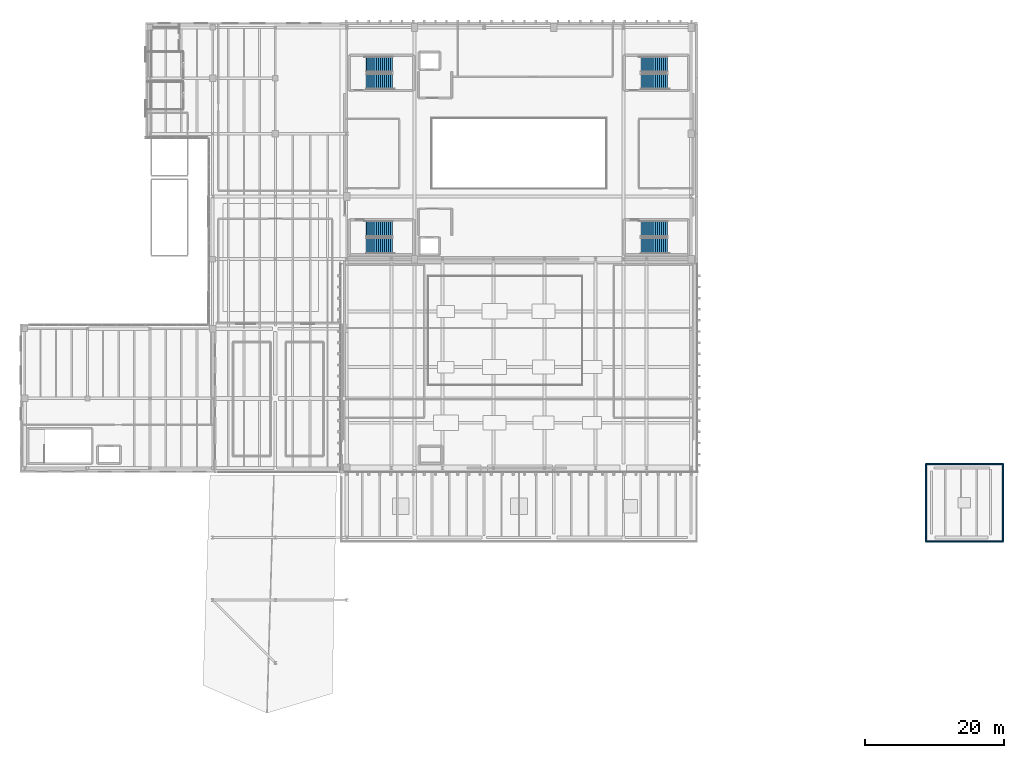
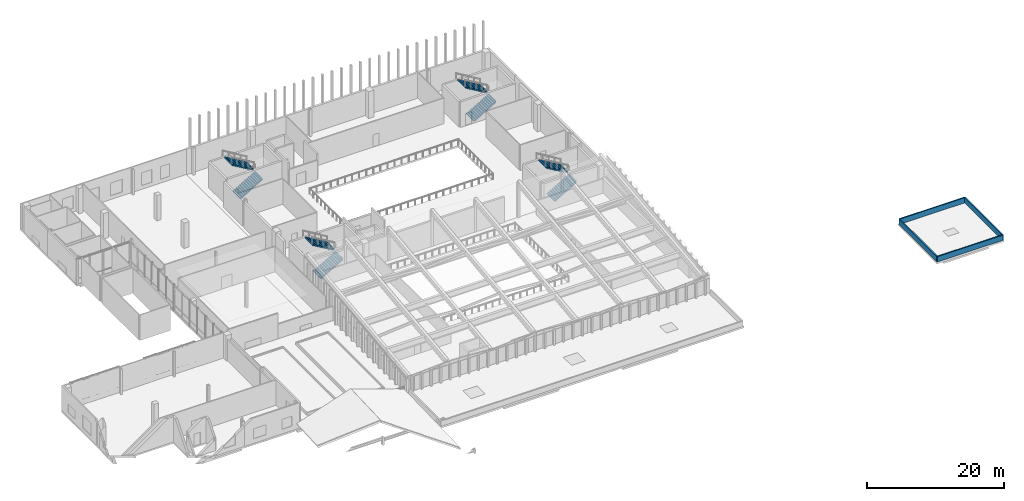
# One storey, part 23 of 30: 8 stair flights, 4 walls, 4 elements without a shape of their own.
"""IFC4 building model written with IfcOpenShell, lengths in metres."""

from ifc_helpers import new_model, si_unit, direction, frame, frame_2d, origin, place, context, subcontext, project, spatial, polyline, rectangle, outline, extrude, material, layer, layer_set, type_object, element, aggregate, save


model = new_model("IFC4")

# Units and contexts
model_context = context("Model", 3, precision=1e-05, world=origin(), true_north=direction((0.0, 1.0)))
body_context = subcontext(model_context, "Body", "Model", "MODEL_VIEW")
ifc_project = project(units=[si_unit("LENGTHUNIT", "METRE"), si_unit("AREAUNIT", "SQUARE_METRE"), si_unit("VOLUMEUNIT", "CUBIC_METRE"), si_unit("PLANEANGLEUNIT", "RADIAN"), si_unit("MASSUNIT", "GRAM", prefix="KILO")], contexts=[model_context])

# Site, building, storey
site_placement = place(None, origin())
site = spatial("IfcSite", under=ifc_project, at=site_placement, CompositionType="ELEMENT")
building_placement = place(site_placement, origin())
building = spatial("IfcBuilding", under=site, at=building_placement, Name="Trimount Lyric Opera House", CompositionType="ELEMENT")
storey_placement = place(building_placement, frame((0.0, 0.0, 24.800048828125)))
storey = spatial("IfcBuildingStorey", under=building, at=storey_placement, Name="L05", CompositionType="ELEMENT", Elevation=24.800048828125)

# Walls
ifc_material_1 = material(Name="Precast concrete C40/50", Category="concrete")
ifc_layer = layer(ifc_material_1, 0.2099609375)
ifc_layer_set = layer_set([ifc_layer], Name="WL-PA210")
wall_type = type_object("IfcWallType", Name="WL-PA210", PredefinedType="PARAPET", material=ifc_layer_set)
for number, where, z_axis, x_axis, name in (
    (1, (147.4599609375, 54.5400390625, 0.0), (0.0, 0.0, 1.0), (1.0, 0.0, 0.0), "L05 roof parapet 025"),
    (2, (158.5400390625, 54.5400390625, 0.0), (0.0, 0.0, 1.0), (0.0, -1.0, 0.0), "L05 roof parapet 026"),
    (3, (158.5400390625, 43.4599609375, 0.0), (0.0, 0.0, 1.0), (-1.0, 0.0, 0.0), "L05 roof parapet 027"),
    (4, (147.4599609375, 43.4599609375, 0.0), (0.0, 0.0, 1.0), (0.0, 1.0, 0.0), "L05 roof parapet 028"),
):
    element("IfcWall", number, at=place(storey_placement, frame(where, z_axis=z_axis, x_axis=x_axis)), inside=storey, type_object=wall_type, Name=name, PredefinedType="PARAPET", context=body_context, shape_type="SweptSolid", body=[
        extrude(rectangle(XDim=11.080078125, YDim=0.2099609375, at=frame_2d((5.5400390625, 0.0))), origin(), (0.0, 0.0, 1.0), 0.949951171875),
    ])

# Stair, stair flights
ifc_material_2 = material(Name="Concrete C40/50", Category="concrete")
stair_type = type_object("IfcStairType", Name="STR-CORE-B", PredefinedType="TWO_QUARTER_TURN_STAIR", material=ifc_material_2)
stair_1_placement = place(storey_placement, origin())
stair_1 = element("IfcStair", 5, at=stair_1_placement, inside=storey, type_object=stair_type, Name="L05 Exit Stair ST-01", PredefinedType="TWO_QUARTER_TURN_STAIR")
ifc_material_3 = material(Name="Concrete C40/50", Category="concrete")
stair_flight_type = type_object("IfcStairFlightType", Name="SFL-CORE-A", PredefinedType="STRAIGHT", material=ifc_material_3)
stair_flight_1_placement = place(storey_placement, frame((67.050048828125, 109.52490234375, 0.0), z_axis=(0.0, 0.0, 1.0), x_axis=(1.0, 0.0, 0.0)))
stair_flight_1 = element("IfcStairFlight", 6, at=stair_flight_1_placement, type_object=stair_flight_type, Name="ST-01 flight 1", NumberOfRisers=14, NumberOfTreads=13, PredefinedType="STRAIGHT", RiserHeight=0.171428571, TreadLength=0.29, context=body_context, shape_type="SweptSolid", body=[
    extrude(outline(polyline([(0.0, 0.0), (0.0, 0.17138671875), (0.2900390625, 0.17138671875), (0.2900390625, 0.3427734375), (0.580078125, 0.3427734375), (0.580078125, 0.514404296875), (0.8701171875, 0.514404296875), (0.8701171875, 0.685791015625), (1.159912109375, 0.685791015625), (1.159912109375, 0.857177734375), (1.449951171875, 0.857177734375), (1.449951171875, 1.028564453125), (1.739990234375, 1.028564453125), (1.739990234375, 1.199951171875), (2.030029296875, 1.199951171875), (2.030029296875, 1.371337890625), (2.320068359375, 1.371337890625), (2.320068359375, 1.54296875), (2.610107421875, 1.54296875), (2.610107421875, 1.71435546875), (2.89990234375, 1.71435546875), (2.89990234375, 1.8857421875), (3.18994140625, 1.8857421875), (3.18994140625, 2.05712890625), (3.47998046875, 2.05712890625), (3.47998046875, 2.228515625), (3.75390625, 2.228515625), (3.77001953125, 2.39990234375), (3.77001953125, 2.054443359375), (0.294677734375, 0.0), (0.0, 0.0)])), frame((0.0, 1.125, 0.0), z_axis=(0.0, -1.0, 0.0), x_axis=(1.0, 0.0, 0.0)), (0.0, 0.0, 1.0), 2.25),
])
stair_flight_2_placement = place(storey_placement, frame((70.820068359375, 111.97509765625, 2.39990234375), z_axis=(0.0, 0.0, 1.0), x_axis=(-1.0, 0.0, 0.0)))
stair_flight_2 = element("IfcStairFlight", 7, at=stair_flight_2_placement, type_object=stair_flight_type, Name="ST-01 flight 2", NumberOfRisers=14, NumberOfTreads=13, PredefinedType="STRAIGHT", RiserHeight=0.171428571, TreadLength=0.29, context=body_context, shape_type="SweptSolid", body=[
    extrude(outline(polyline([(0.0, 0.0), (0.0, 0.17138671875), (0.2900390625, 0.17138671875), (0.2900390625, 0.3427734375), (0.580078125, 0.3427734375), (0.580078125, 0.514404296875), (0.8701171875, 0.514404296875), (0.8701171875, 0.685791015625), (1.159912109375, 0.685791015625), (1.159912109375, 0.857177734375), (1.449951171875, 0.857177734375), (1.449951171875, 1.028564453125), (1.739990234375, 1.028564453125), (1.739990234375, 1.199951171875), (2.030029296875, 1.199951171875), (2.030029296875, 1.371337890625), (2.320068359375, 1.371337890625), (2.320068359375, 1.54296875), (2.610107421875, 1.54296875), (2.610107421875, 1.71435546875), (2.89990234375, 1.71435546875), (2.89990234375, 1.8857421875), (3.18994140625, 1.8857421875), (3.18994140625, 2.05712890625), (3.47998046875, 2.05712890625), (3.47998046875, 2.228515625), (3.75390625, 2.228515625), (3.77001953125, 2.39990234375), (3.77001953125, 2.054443359375), (0.294677734375, 0.0), (0.0, 0.0)])), frame((0.0, 1.125, 0.0), z_axis=(0.0, -1.0, 0.0), x_axis=(1.0, 0.0, 0.0)), (0.0, 0.0, 1.0), 2.25),
])
aggregate(stair_1, [stair_flight_1, stair_flight_2])

stair_2_placement = place(storey_placement, origin())
stair_2 = element("IfcStair", 8, at=stair_2_placement, inside=storey, type_object=stair_type, Name="L05 Exit Stair ST-02", PredefinedType="TWO_QUARTER_TURN_STAIR")
stair_flight_3_placement = place(storey_placement, frame((106.550048828125, 109.52490234375, 0.0), z_axis=(0.0, 0.0, 1.0), x_axis=(1.0, 0.0, 0.0)))
stair_flight_3 = element("IfcStairFlight", 9, at=stair_flight_3_placement, type_object=stair_flight_type, Name="ST-02 flight 1", NumberOfRisers=14, NumberOfTreads=13, PredefinedType="STRAIGHT", RiserHeight=0.171428571, TreadLength=0.29, context=body_context, shape_type="SweptSolid", body=[
    extrude(outline(polyline([(0.0, 0.0), (0.0, 0.17138671875), (0.2900390625, 0.17138671875), (0.2900390625, 0.3427734375), (0.580078125, 0.3427734375), (0.580078125, 0.514404296875), (0.8701171875, 0.514404296875), (0.8701171875, 0.685791015625), (1.159912109375, 0.685791015625), (1.159912109375, 0.857177734375), (1.449951171875, 0.857177734375), (1.449951171875, 1.028564453125), (1.739990234375, 1.028564453125), (1.739990234375, 1.199951171875), (2.030029296875, 1.199951171875), (2.030029296875, 1.371337890625), (2.320068359375, 1.371337890625), (2.320068359375, 1.54296875), (2.610107421875, 1.54296875), (2.610107421875, 1.71435546875), (2.89990234375, 1.71435546875), (2.89990234375, 1.8857421875), (3.18994140625, 1.8857421875), (3.18994140625, 2.05712890625), (3.47998046875, 2.05712890625), (3.47998046875, 2.228515625), (3.75390625, 2.228515625), (3.77001953125, 2.39990234375), (3.77001953125, 2.054443359375), (0.294677734375, 0.0), (0.0, 0.0)])), frame((0.0, 1.125, 0.0), z_axis=(0.0, -1.0, 0.0), x_axis=(1.0, 0.0, 0.0)), (0.0, 0.0, 1.0), 2.25),
])
stair_flight_4_placement = place(storey_placement, frame((110.320068359375, 111.97509765625, 2.39990234375), z_axis=(0.0, 0.0, 1.0), x_axis=(-1.0, 0.0, 0.0)))
stair_flight_4 = element("IfcStairFlight", 10, at=stair_flight_4_placement, type_object=stair_flight_type, Name="ST-02 flight 2", NumberOfRisers=14, NumberOfTreads=13, PredefinedType="STRAIGHT", RiserHeight=0.171428571, TreadLength=0.29, context=body_context, shape_type="SweptSolid", body=[
    extrude(outline(polyline([(0.0, 0.0), (0.0, 0.17138671875), (0.2900390625, 0.17138671875), (0.2900390625, 0.3427734375), (0.580078125, 0.3427734375), (0.580078125, 0.514404296875), (0.8701171875, 0.514404296875), (0.8701171875, 0.685791015625), (1.159912109375, 0.685791015625), (1.159912109375, 0.857177734375), (1.449951171875, 0.857177734375), (1.449951171875, 1.028564453125), (1.739990234375, 1.028564453125), (1.739990234375, 1.199951171875), (2.030029296875, 1.199951171875), (2.030029296875, 1.371337890625), (2.320068359375, 1.371337890625), (2.320068359375, 1.54296875), (2.610107421875, 1.54296875), (2.610107421875, 1.71435546875), (2.89990234375, 1.71435546875), (2.89990234375, 1.8857421875), (3.18994140625, 1.8857421875), (3.18994140625, 2.05712890625), (3.47998046875, 2.05712890625), (3.47998046875, 2.228515625), (3.75390625, 2.228515625), (3.77001953125, 2.39990234375), (3.77001953125, 2.054443359375), (0.294677734375, 0.0), (0.0, 0.0)])), frame((0.0, 1.125, 0.0), z_axis=(0.0, -1.0, 0.0), x_axis=(1.0, 0.0, 0.0)), (0.0, 0.0, 1.0), 2.25),
])
aggregate(stair_2, [stair_flight_3, stair_flight_4])

stair_3_placement = place(storey_placement, origin())
stair_3 = element("IfcStair", 11, at=stair_3_placement, inside=storey, type_object=stair_type, Name="L05 Exit Stair ST-03", PredefinedType="TWO_QUARTER_TURN_STAIR")
stair_flight_5_placement = place(storey_placement, frame((67.050048828125, 85.925048828125, 0.0), z_axis=(0.0, 0.0, 1.0), x_axis=(1.0, 0.0, 0.0)))
stair_flight_5 = element("IfcStairFlight", 12, at=stair_flight_5_placement, type_object=stair_flight_type, Name="ST-03 flight 1", NumberOfRisers=14, NumberOfTreads=13, PredefinedType="STRAIGHT", RiserHeight=0.171428571, TreadLength=0.29, context=body_context, shape_type="SweptSolid", body=[
    extrude(outline(polyline([(0.0, 0.0), (0.0, 0.17138671875), (0.2900390625, 0.17138671875), (0.2900390625, 0.3427734375), (0.580078125, 0.3427734375), (0.580078125, 0.514404296875), (0.8701171875, 0.514404296875), (0.8701171875, 0.685791015625), (1.159912109375, 0.685791015625), (1.159912109375, 0.857177734375), (1.449951171875, 0.857177734375), (1.449951171875, 1.028564453125), (1.739990234375, 1.028564453125), (1.739990234375, 1.199951171875), (2.030029296875, 1.199951171875), (2.030029296875, 1.371337890625), (2.320068359375, 1.371337890625), (2.320068359375, 1.54296875), (2.610107421875, 1.54296875), (2.610107421875, 1.71435546875), (2.89990234375, 1.71435546875), (2.89990234375, 1.8857421875), (3.18994140625, 1.8857421875), (3.18994140625, 2.05712890625), (3.47998046875, 2.05712890625), (3.47998046875, 2.228515625), (3.75390625, 2.228515625), (3.77001953125, 2.39990234375), (3.77001953125, 2.054443359375), (0.294677734375, 0.0), (0.0, 0.0)])), frame((0.0, 1.125, 0.0), z_axis=(0.0, -1.0, 0.0), x_axis=(1.0, 0.0, 0.0)), (0.0, 0.0, 1.0), 2.25),
])
stair_flight_6_placement = place(storey_placement, frame((70.820068359375, 88.375, 2.39990234375), z_axis=(0.0, 0.0, 1.0), x_axis=(-1.0, 0.0, 0.0)))
stair_flight_6 = element("IfcStairFlight", 13, at=stair_flight_6_placement, type_object=stair_flight_type, Name="ST-03 flight 2", NumberOfRisers=14, NumberOfTreads=13, PredefinedType="STRAIGHT", RiserHeight=0.171428571, TreadLength=0.29, context=body_context, shape_type="SweptSolid", body=[
    extrude(outline(polyline([(0.0, 0.0), (0.0, 0.17138671875), (0.2900390625, 0.17138671875), (0.2900390625, 0.3427734375), (0.580078125, 0.3427734375), (0.580078125, 0.514404296875), (0.8701171875, 0.514404296875), (0.8701171875, 0.685791015625), (1.159912109375, 0.685791015625), (1.159912109375, 0.857177734375), (1.449951171875, 0.857177734375), (1.449951171875, 1.028564453125), (1.739990234375, 1.028564453125), (1.739990234375, 1.199951171875), (2.030029296875, 1.199951171875), (2.030029296875, 1.371337890625), (2.320068359375, 1.371337890625), (2.320068359375, 1.54296875), (2.610107421875, 1.54296875), (2.610107421875, 1.71435546875), (2.89990234375, 1.71435546875), (2.89990234375, 1.8857421875), (3.18994140625, 1.8857421875), (3.18994140625, 2.05712890625), (3.47998046875, 2.05712890625), (3.47998046875, 2.228515625), (3.75390625, 2.228515625), (3.77001953125, 2.39990234375), (3.77001953125, 2.054443359375), (0.294677734375, 0.0), (0.0, 0.0)])), frame((0.0, 1.125, 0.0), z_axis=(0.0, -1.0, 0.0), x_axis=(1.0, 0.0, 0.0)), (0.0, 0.0, 1.0), 2.25),
])
aggregate(stair_3, [stair_flight_5, stair_flight_6])

stair_4_placement = place(storey_placement, origin())
stair_4 = element("IfcStair", 14, at=stair_4_placement, inside=storey, type_object=stair_type, Name="L05 Exit Stair ST-04", PredefinedType="TWO_QUARTER_TURN_STAIR")
stair_flight_7_placement = place(storey_placement, frame((106.550048828125, 85.925048828125, 0.0), z_axis=(0.0, 0.0, 1.0), x_axis=(1.0, 0.0, 0.0)))
stair_flight_7 = element("IfcStairFlight", 15, at=stair_flight_7_placement, type_object=stair_flight_type, Name="ST-04 flight 1", NumberOfRisers=14, NumberOfTreads=13, PredefinedType="STRAIGHT", RiserHeight=0.171428571, TreadLength=0.29, context=body_context, shape_type="SweptSolid", body=[
    extrude(outline(polyline([(0.0, 0.0), (0.0, 0.17138671875), (0.2900390625, 0.17138671875), (0.2900390625, 0.3427734375), (0.580078125, 0.3427734375), (0.580078125, 0.514404296875), (0.8701171875, 0.514404296875), (0.8701171875, 0.685791015625), (1.159912109375, 0.685791015625), (1.159912109375, 0.857177734375), (1.449951171875, 0.857177734375), (1.449951171875, 1.028564453125), (1.739990234375, 1.028564453125), (1.739990234375, 1.199951171875), (2.030029296875, 1.199951171875), (2.030029296875, 1.371337890625), (2.320068359375, 1.371337890625), (2.320068359375, 1.54296875), (2.610107421875, 1.54296875), (2.610107421875, 1.71435546875), (2.89990234375, 1.71435546875), (2.89990234375, 1.8857421875), (3.18994140625, 1.8857421875), (3.18994140625, 2.05712890625), (3.47998046875, 2.05712890625), (3.47998046875, 2.228515625), (3.75390625, 2.228515625), (3.77001953125, 2.39990234375), (3.77001953125, 2.054443359375), (0.294677734375, 0.0), (0.0, 0.0)])), frame((0.0, 1.125, 0.0), z_axis=(0.0, -1.0, 0.0), x_axis=(1.0, 0.0, 0.0)), (0.0, 0.0, 1.0), 2.25),
])
stair_flight_8_placement = place(storey_placement, frame((110.320068359375, 88.375, 2.39990234375), z_axis=(0.0, 0.0, 1.0), x_axis=(-1.0, 0.0, 0.0)))
stair_flight_8 = element("IfcStairFlight", 16, at=stair_flight_8_placement, type_object=stair_flight_type, Name="ST-04 flight 2", NumberOfRisers=14, NumberOfTreads=13, PredefinedType="STRAIGHT", RiserHeight=0.171428571, TreadLength=0.29, context=body_context, shape_type="SweptSolid", body=[
    extrude(outline(polyline([(0.0, 0.0), (0.0, 0.17138671875), (0.2900390625, 0.17138671875), (0.2900390625, 0.3427734375), (0.580078125, 0.3427734375), (0.580078125, 0.514404296875), (0.8701171875, 0.514404296875), (0.8701171875, 0.685791015625), (1.159912109375, 0.685791015625), (1.159912109375, 0.857177734375), (1.449951171875, 0.857177734375), (1.449951171875, 1.028564453125), (1.739990234375, 1.028564453125), (1.739990234375, 1.199951171875), (2.030029296875, 1.199951171875), (2.030029296875, 1.371337890625), (2.320068359375, 1.371337890625), (2.320068359375, 1.54296875), (2.610107421875, 1.54296875), (2.610107421875, 1.71435546875), (2.89990234375, 1.71435546875), (2.89990234375, 1.8857421875), (3.18994140625, 1.8857421875), (3.18994140625, 2.05712890625), (3.47998046875, 2.05712890625), (3.47998046875, 2.228515625), (3.75390625, 2.228515625), (3.77001953125, 2.39990234375), (3.77001953125, 2.054443359375), (0.294677734375, 0.0), (0.0, 0.0)])), frame((0.0, 1.125, 0.0), z_axis=(0.0, -1.0, 0.0), x_axis=(1.0, 0.0, 0.0)), (0.0, 0.0, 1.0), 2.25),
])
aggregate(stair_4, [stair_flight_7, stair_flight_8])

save(model, "model.ifc")
